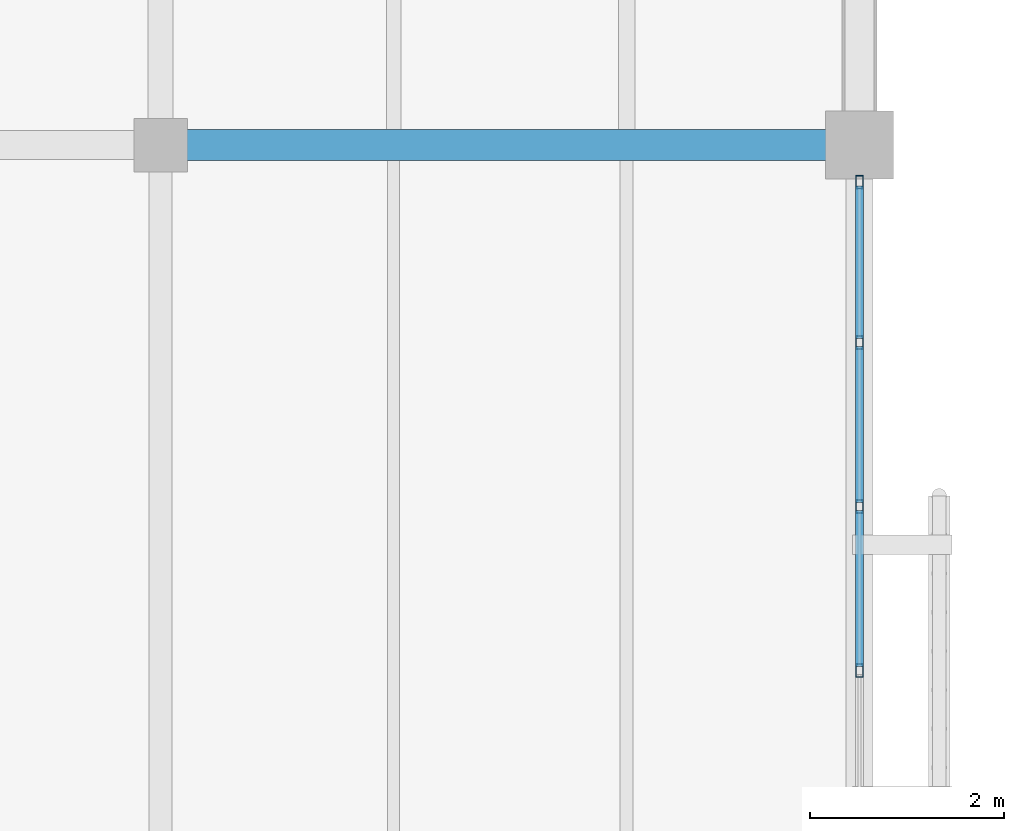
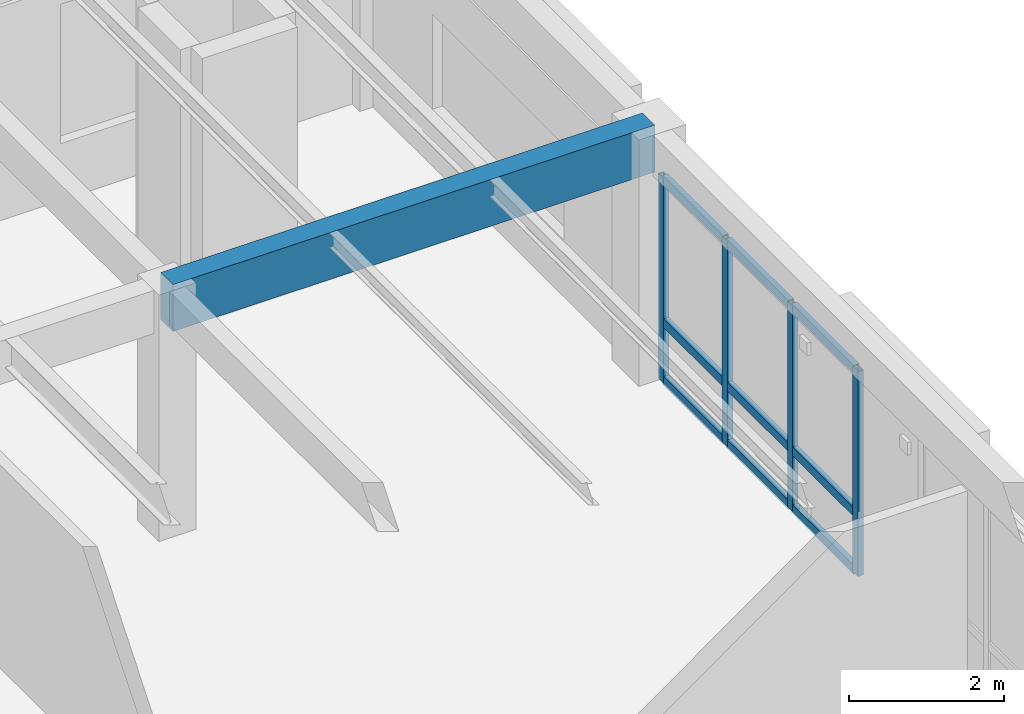
# One storey, part 68 of 170: 13 members, 1 beam, 1 element without a shape of its own.
"""IFC4 building model written with IfcOpenShell, lengths in metres."""

from ifc_helpers import new_model, si_unit, direction, frame, origin, origin_2d, place, context, subcontext, project, spatial, rectangle, hollow_rectangle, extrude, material, layer, layer_set, material_profile, profile_set, type_object, element, aggregate, save


model = new_model("IFC4")

# Units and contexts
model_context = context("Model", 3, precision=1e-05, world=origin(), true_north=direction((0.0, 1.0)))
body_context = subcontext(model_context, "Body", "Model", "MODEL_VIEW")
ifc_project = project(units=[si_unit("LENGTHUNIT", "METRE"), si_unit("AREAUNIT", "SQUARE_METRE"), si_unit("VOLUMEUNIT", "CUBIC_METRE"), si_unit("PLANEANGLEUNIT", "RADIAN"), si_unit("MASSUNIT", "GRAM", prefix="KILO")], contexts=[model_context])

# Site, building, storey
site_placement = place(None, origin())
site = spatial("IfcSite", under=ifc_project, at=site_placement, CompositionType="ELEMENT")
building_placement = place(site_placement, origin())
building = spatial("IfcBuilding", under=site, at=building_placement, Name="Mazaris Harbour Polytechnic", CompositionType="ELEMENT")
storey_placement = place(building_placement, frame((0.0, 0.0, 5.39990234375)))
storey = spatial("IfcBuildingStorey", under=building, at=storey_placement, Name="L01", CompositionType="ELEMENT", Elevation=5.39990234375)

# Curtain wall, members
ifc_material_1 = material(Name="Anodised Bronze Aluminium and Low-E Glass", Category="aluminium")
ifc_layer = layer(ifc_material_1, 0.159912109375, Name="Anodised Bronze Aluminium and Low-E Glass")
ifc_layer_set = layer_set([ifc_layer], Name="Anodised Bronze Aluminium and Low-E Glass")
curtain_wall_type = type_object("IfcCurtainWallType", Name="Cloister Court Curtain Wall", PredefinedType="NOTDEFINED", material=ifc_layer_set)
curtain_wall_placement = place(storey_placement, origin())
curtain_wall = element("IfcCurtainWall", 1, at=curtain_wall_placement, inside=storey, type_object=curtain_wall_type, Name="V4 L01 Curtain Wall 115", PredefinedType="NOTDEFINED")
ifc_material_2 = material(Name="Anodised Bronze Steel S355", Category="steel")
ifc_material_profile_1 = material_profile(ifc_material_2, hollow_rectangle(XDim=0.080078125, YDim=0.139892578125, WallThickness=0.00634765625, at=origin_2d()), Name="RHS 80x140x6.3")
ifc_profile_set_1 = profile_set([ifc_material_profile_1], Name="Anodised Bronze Steel S355")
member_type_1 = type_object("IfcMemberType", Name="Curtain Mullion RHS80x140", PredefinedType="MULLION", material=ifc_profile_set_1)
member_1_placement = place(storey_placement, frame((43.199951171875, 93.218017578125, 0.0), z_axis=(0.0, 0.0, 1.0), x_axis=(1.0, 0.0, 0.0)))
member_1 = element("IfcMember", 2, at=member_1_placement, type_object=member_type_1, Name="CW-02 mullion 1", PredefinedType="MULLION", context=body_context, shape_type="SweptSolid", body=[
    extrude(hollow_rectangle(XDim=0.080078125, YDim=0.139892578125, WallThickness=0.00634765625, at=origin_2d()), origin(), (0.0, 0.0, 1.0), 3.239990234375),
])
member_2_placement = place(storey_placement, frame((43.199951171875, 91.56787109375, 0.0), z_axis=(0.0, 0.0, 1.0), x_axis=(1.0, 0.0, 0.0)))
member_2 = element("IfcMember", 3, at=member_2_placement, type_object=member_type_1, Name="CW-02 mullion 2", PredefinedType="MULLION", context=body_context, shape_type="SweptSolid", body=[
    extrude(hollow_rectangle(XDim=0.080078125, YDim=0.139892578125, WallThickness=0.00634765625, at=origin_2d()), origin(), (0.0, 0.0, 1.0), 3.239990234375),
])
member_3_placement = place(storey_placement, frame((43.199951171875, 89.877685546875, 0.0), z_axis=(0.0, 0.0, 1.0), x_axis=(1.0, 0.0, 0.0)))
member_3 = element("IfcMember", 4, at=member_3_placement, type_object=member_type_1, Name="CW-02 mullion 3", PredefinedType="MULLION", context=body_context, shape_type="SweptSolid", body=[
    extrude(hollow_rectangle(XDim=0.080078125, YDim=0.139892578125, WallThickness=0.00634765625, at=origin_2d()), origin(), (0.0, 0.0, 1.0), 3.239990234375),
])
member_4_placement = place(storey_placement, frame((43.199951171875, 88.1875, 0.0), z_axis=(0.0, 0.0, 1.0), x_axis=(1.0, 0.0, 0.0)))
member_4 = element("IfcMember", 5, at=member_4_placement, type_object=member_type_1, Name="CW-02 mullion 4", PredefinedType="MULLION", context=body_context, shape_type="SweptSolid", body=[
    extrude(hollow_rectangle(XDim=0.080078125, YDim=0.139892578125, WallThickness=0.00634765625, at=origin_2d()), origin(), (0.0, 0.0, 1.0), 3.239990234375),
])
ifc_material_3 = material(Name="Anodised Bronze Steel S355", Category="steel")
ifc_material_profile_2 = material_profile(ifc_material_3, hollow_rectangle(XDim=0.080078125, YDim=0.139892578125, WallThickness=0.00634765625, at=origin_2d()), Name="RHS 80x140x6.3")
ifc_profile_set_2 = profile_set([ifc_material_profile_2], Name="Anodised Bronze Steel S355")
member_type_2 = type_object("IfcMemberType", Name="Curtain Transom RHS80x140", PredefinedType="USERDEFINED", material=ifc_profile_set_2)
member_5_placement = place(storey_placement, frame((43.199951171875, 93.177978515625, 0.0400390625), z_axis=(0.0, -1.0, 0.0), x_axis=(1.0, 0.0, 0.0)))
member_5 = element("IfcMember", 6, at=member_5_placement, type_object=member_type_2, Name="CW-02 transom 1.1", ObjectType="TRANSOM", PredefinedType="USERDEFINED", context=body_context, shape_type="SweptSolid", body=[
    extrude(hollow_rectangle(XDim=0.080078125, YDim=0.139892578125, WallThickness=0.00634765625, at=origin_2d()), origin(), (0.0, 0.0, 1.0), 1.570068359375),
])
member_6_placement = place(storey_placement, frame((43.199951171875, 93.177978515625, 0.9501953125), z_axis=(0.0, -1.0, 0.0), x_axis=(1.0, 0.0, 0.0)))
member_6 = element("IfcMember", 7, at=member_6_placement, type_object=member_type_2, Name="CW-02 transom 1.2", ObjectType="TRANSOM", PredefinedType="USERDEFINED", context=body_context, shape_type="SweptSolid", body=[
    extrude(hollow_rectangle(XDim=0.080078125, YDim=0.139892578125, WallThickness=0.00634765625, at=origin_2d()), origin(), (0.0, 0.0, 1.0), 1.570068359375),
])
member_7_placement = place(storey_placement, frame((43.199951171875, 93.177978515625, 3.2001953125), z_axis=(0.0, -1.0, 0.0), x_axis=(1.0, 0.0, 0.0)))
member_7 = element("IfcMember", 8, at=member_7_placement, type_object=member_type_2, Name="CW-02 transom 1.3", ObjectType="TRANSOM", PredefinedType="USERDEFINED", context=body_context, shape_type="SweptSolid", body=[
    extrude(hollow_rectangle(XDim=0.080078125, YDim=0.139892578125, WallThickness=0.00634765625, at=origin_2d()), origin(), (0.0, 0.0, 1.0), 1.570068359375),
])
member_8_placement = place(storey_placement, frame((43.199951171875, 91.52783203125, 0.0400390625), z_axis=(0.0, -1.0, 0.0), x_axis=(1.0, 0.0, 0.0)))
member_8 = element("IfcMember", 9, at=member_8_placement, type_object=member_type_2, Name="CW-02 transom 2.1", ObjectType="TRANSOM", PredefinedType="USERDEFINED", context=body_context, shape_type="SweptSolid", body=[
    extrude(hollow_rectangle(XDim=0.080078125, YDim=0.139892578125, WallThickness=0.00634765625, at=origin_2d()), origin(), (0.0, 0.0, 1.0), 1.610107421875),
])
member_9_placement = place(storey_placement, frame((43.199951171875, 91.52783203125, 0.9501953125), z_axis=(0.0, -1.0, 0.0), x_axis=(1.0, 0.0, 0.0)))
member_9 = element("IfcMember", 10, at=member_9_placement, type_object=member_type_2, Name="CW-02 transom 2.2", ObjectType="TRANSOM", PredefinedType="USERDEFINED", context=body_context, shape_type="SweptSolid", body=[
    extrude(hollow_rectangle(XDim=0.080078125, YDim=0.139892578125, WallThickness=0.00634765625, at=origin_2d()), origin(), (0.0, 0.0, 1.0), 1.610107421875),
])
member_10_placement = place(storey_placement, frame((43.199951171875, 91.52783203125, 3.2001953125), z_axis=(0.0, -1.0, 0.0), x_axis=(1.0, 0.0, 0.0)))
member_10 = element("IfcMember", 11, at=member_10_placement, type_object=member_type_2, Name="CW-02 transom 2.3", ObjectType="TRANSOM", PredefinedType="USERDEFINED", context=body_context, shape_type="SweptSolid", body=[
    extrude(hollow_rectangle(XDim=0.080078125, YDim=0.139892578125, WallThickness=0.00634765625, at=origin_2d()), origin(), (0.0, 0.0, 1.0), 1.610107421875),
])
member_11_placement = place(storey_placement, frame((43.199951171875, 89.837646484375, 0.0400390625), z_axis=(0.0, -1.0, 0.0), x_axis=(1.0, 0.0, 0.0)))
member_11 = element("IfcMember", 12, at=member_11_placement, type_object=member_type_2, Name="CW-02 transom 3.1", ObjectType="TRANSOM", PredefinedType="USERDEFINED", context=body_context, shape_type="SweptSolid", body=[
    extrude(hollow_rectangle(XDim=0.080078125, YDim=0.139892578125, WallThickness=0.00634765625, at=origin_2d()), origin(), (0.0, 0.0, 1.0), 1.610107421875),
])
member_12_placement = place(storey_placement, frame((43.199951171875, 89.837646484375, 0.9501953125), z_axis=(0.0, -1.0, 0.0), x_axis=(1.0, 0.0, 0.0)))
member_12 = element("IfcMember", 13, at=member_12_placement, type_object=member_type_2, Name="CW-02 transom 3.2", ObjectType="TRANSOM", PredefinedType="USERDEFINED", context=body_context, shape_type="SweptSolid", body=[
    extrude(hollow_rectangle(XDim=0.080078125, YDim=0.139892578125, WallThickness=0.00634765625, at=origin_2d()), origin(), (0.0, 0.0, 1.0), 1.610107421875),
])
member_13_placement = place(storey_placement, frame((43.199951171875, 89.837646484375, 3.2001953125), z_axis=(0.0, -1.0, 0.0), x_axis=(1.0, 0.0, 0.0)))
member_13 = element("IfcMember", 14, at=member_13_placement, type_object=member_type_2, Name="CW-02 transom 3.3", ObjectType="TRANSOM", PredefinedType="USERDEFINED", context=body_context, shape_type="SweptSolid", body=[
    extrude(hollow_rectangle(XDim=0.080078125, YDim=0.139892578125, WallThickness=0.00634765625, at=origin_2d()), origin(), (0.0, 0.0, 1.0), 1.610107421875),
])
aggregate(curtain_wall, [member_1, member_2, member_3, member_4, member_5, member_6, member_7, member_8, member_9, member_10, member_11, member_12, member_13])

# Beam
ifc_material_4 = material(Name="Glulam GL32h", Category="wood")
ifc_material_profile_3 = material_profile(ifc_material_4, rectangle(XDim=0.320068359375, YDim=0.739990234375, at=origin_2d()), Name="RECT320x740")
ifc_profile_set_3 = profile_set([ifc_material_profile_3], Name="Glulam GL32h")
beam_type = type_object("IfcBeamType", Name="Glulam Girder 320x740", PredefinedType="BEAM", material=ifc_profile_set_3)
beam_placement = place(storey_placement, frame((36.0, 93.60009765625, 3.52001953125), z_axis=(1.0, 0.0, 0.0), x_axis=(0.0, 1.0, 0.0)))
element("IfcBeam", 15, at=beam_placement, inside=storey, type_object=beam_type, Name="V4 L01 Girder 1689", PredefinedType="BEAM", context=body_context, shape_type="SweptSolid", body=[
    extrude(rectangle(XDim=0.320068359375, YDim=0.739990234375, at=origin_2d()), origin(), (0.0, 0.0, 1.0), 7.199951171875),
])

save(model, "model.ifc")
